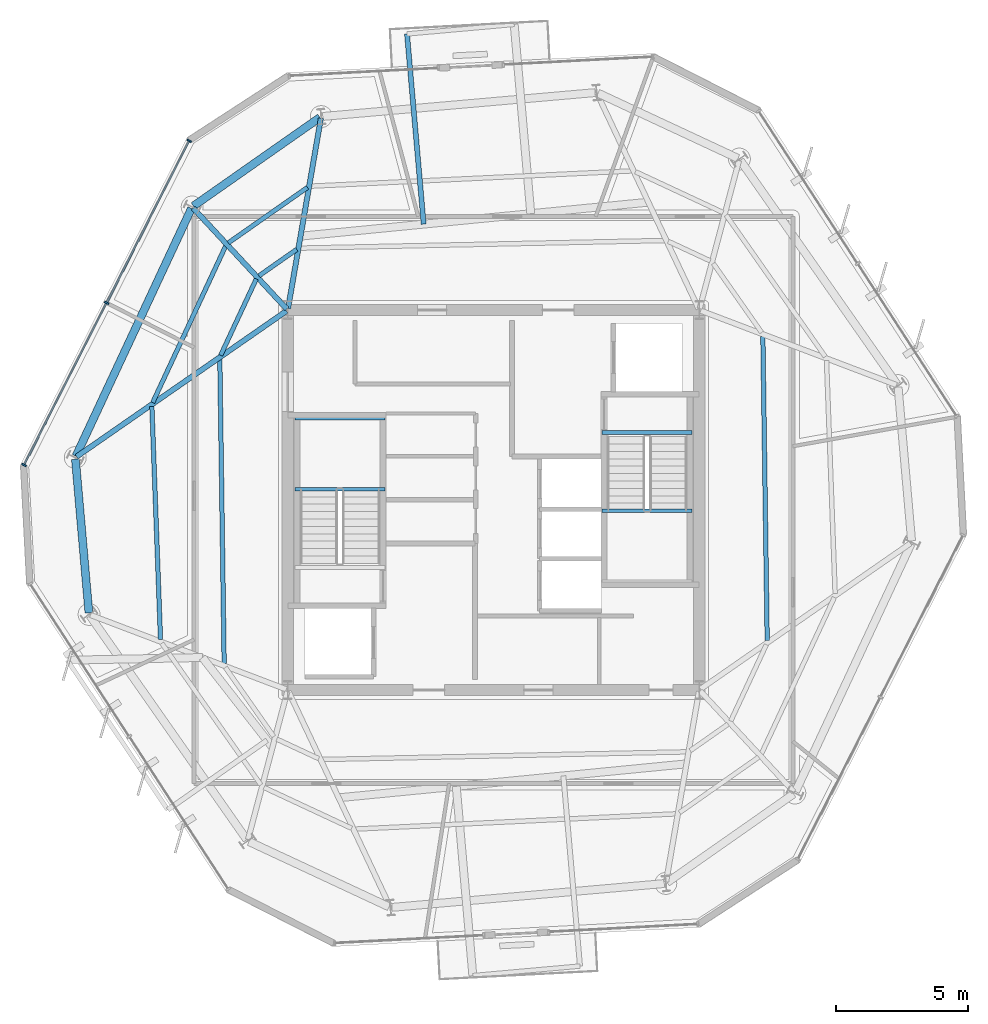
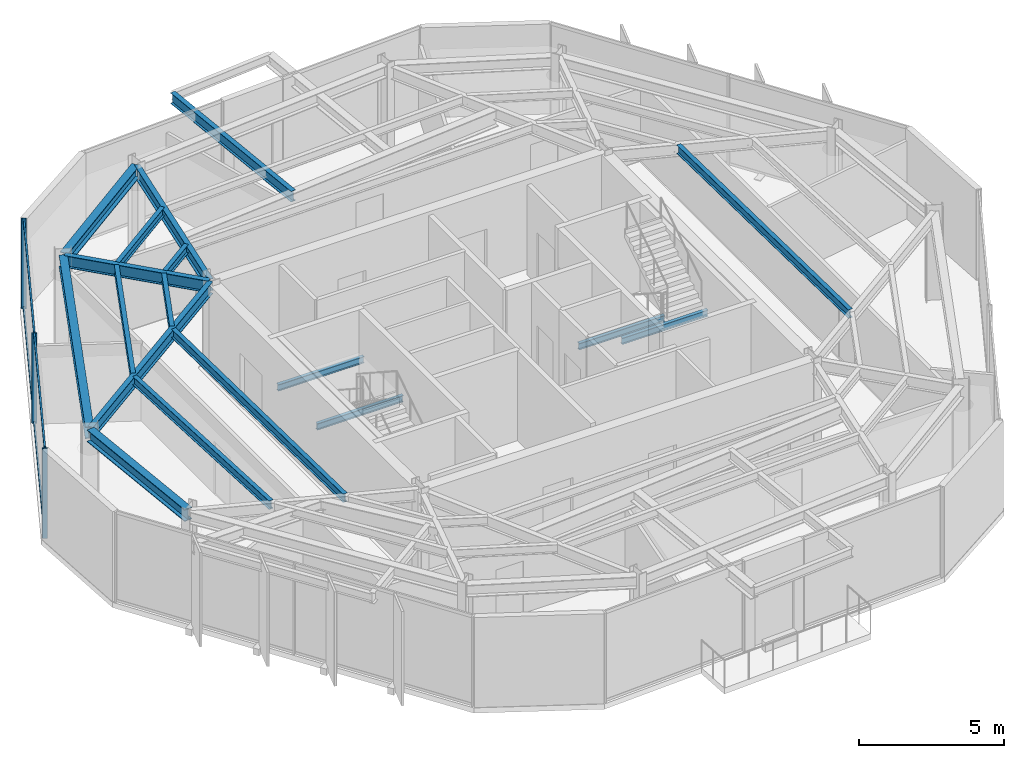
# One storey, part 3 of 11: 18 beams, 7 members, 1 element without a shape of its own.
"""IFC4 building model written with IfcOpenShell, lengths in metres."""

from ifc_helpers import new_model, si_unit, direction, frame, origin, origin_2d, place, context, subcontext, project, spatial, rectangle, i_section, extrude, material, layer, layer_set, material_profile, profile_set, type_object, element, aggregate, save


model = new_model("IFC4")

# Units and contexts
model_context = context("Model", 3, precision=1e-05, world=origin(), true_north=direction((0.0, 1.0)))
body_context = subcontext(model_context, "Body", "Model", "MODEL_VIEW")
ifc_project = project(units=[si_unit("LENGTHUNIT", "METRE"), si_unit("AREAUNIT", "SQUARE_METRE"), si_unit("VOLUMEUNIT", "CUBIC_METRE"), si_unit("PLANEANGLEUNIT", "RADIAN"), si_unit("MASSUNIT", "GRAM", prefix="KILO")], contexts=[model_context])

# Site, building, storey
site_placement = place(None, origin())
site = spatial("IfcSite", under=ifc_project, at=site_placement, CompositionType="ELEMENT")
building_placement = place(site_placement, origin())
building = spatial("IfcBuilding", under=site, at=building_placement, Name="Kranzbogen Civic Tower", CompositionType="ELEMENT")
storey_placement = place(building_placement, frame((0.0, 0.0, 278.199951171875)))
storey = spatial("IfcBuildingStorey", under=building, at=storey_placement, Name="L67", CompositionType="ELEMENT", Elevation=278.199951171875)

# Beam
ifc_material_1 = material(Name="Steel S355", Category="steel")
ifc_material_profile_1 = material_profile(ifc_material_1, i_section(OverallWidth=0.18994140625, OverallDepth=0.449951171875, WebThickness=0.009521484375, FlangeThickness=0.0146484375, at=origin_2d()), Name="IPE 450")
ifc_profile_set_1 = profile_set([ifc_material_profile_1], Name="Steel S355")
beam_type_1 = type_object("IfcBeamType", Name="Braced Terrace Edge Beam IPE 450", PredefinedType="BEAM", material=ifc_profile_set_1)
beam_1_placement = place(storey_placement, frame((22.35205078125, 35.458984375, 3.525146484375), z_axis=(-0.087187033338, 0.996191960025, 0.0), x_axis=(-0.996191960025, -0.087187033338, 0.0)))
element("IfcBeam", 1, at=beam_1_placement, inside=storey, type_object=beam_type_1, Name="L68 back-spanned terrace beam L68-TB2-2", PredefinedType="BEAM", context=body_context, shape_type="SweptSolid", body=[
    extrude(i_section(OverallWidth=0.18994140625, OverallDepth=0.449951171875, WebThickness=0.009521484375, FlangeThickness=0.0146484375, at=origin_2d()), origin(), (0.0, 0.0, 1.0), 7.238525390625),
])

# Curtain wall, members
ifc_material_2 = material(Name="Pale Anodised Aluminium", Category="aluminium")
ifc_layer = layer(ifc_material_2, 0.219970703125, Name="Pale Anodised Aluminium")
ifc_layer_set = layer_set([ifc_layer], Name="Pale Anodised Aluminium")
curtain_wall_type = type_object("IfcCurtainWallType", Name="Zone 4 Stick Curtain Wall System CW-05", PredefinedType="USERDEFINED", material=ifc_layer_set)
curtain_wall_placement = place(storey_placement, origin())
curtain_wall = element("IfcCurtainWall", 2, at=curtain_wall_placement, inside=storey, type_object=curtain_wall_type, Name="L67 curtain wall CW-L67-F2", ObjectType="STICK CURTAIN WALL", PredefinedType="USERDEFINED")
ifc_material_profile_2 = material_profile(ifc_material_2, rectangle(XDim=0.06494140625, YDim=0.179931640625, at=origin_2d()), Name="ALU-M 65x180")
ifc_profile_set_2 = profile_set([ifc_material_profile_2], Name="Pale Anodised Aluminium")
member_type_1 = type_object("IfcMemberType", Name="Curtain Wall Mullion ALU-M 65x180", PredefinedType="MULLION", material=ifc_profile_set_2)
member_1_placement = place(storey_placement, frame((13.46240234375, 38.619384765625, 0.0), z_axis=(0.0, 0.0, 1.0), x_axis=(-0.453899828869, -0.891052717494, 0.0)))
member_1 = element("IfcMember", 3, at=member_1_placement, type_object=member_type_1, Name="CW-05 mullion 1", PredefinedType="MULLION", context=body_context, shape_type="SweptSolid", body=[
    extrude(rectangle(XDim=0.06494140625, YDim=0.179931640625, at=origin_2d()), origin(), (0.0, 0.0, 1.0), 3.780029296875),
])
member_2_placement = place(storey_placement, frame((10.33203125, 32.47412109375, 0.0), z_axis=(0.0, 0.0, 1.0), x_axis=(-0.453899828869, -0.891052717494, 0.0)))
member_2 = element("IfcMember", 4, at=member_2_placement, type_object=member_type_1, Name="CW-05 mullion 2", PredefinedType="MULLION", context=body_context, shape_type="SweptSolid", body=[
    extrude(rectangle(XDim=0.06494140625, YDim=0.179931640625, at=origin_2d()), origin(), (0.0, 0.0, 1.0), 3.780029296875),
])
member_3_placement = place(storey_placement, frame((7.20166015625, 26.32861328125, 0.0), z_axis=(0.0, 0.0, 1.0), x_axis=(-0.453899828869, -0.891052717494, 0.0)))
member_3 = element("IfcMember", 5, at=member_3_placement, type_object=member_type_1, Name="CW-05 mullion 3", PredefinedType="MULLION", context=body_context, shape_type="SweptSolid", body=[
    extrude(rectangle(XDim=0.06494140625, YDim=0.179931640625, at=origin_2d()), origin(), (0.0, 0.0, 1.0), 3.780029296875),
])
ifc_material_profile_3 = material_profile(ifc_material_2, rectangle(XDim=0.06494140625, YDim=0.135009765625, at=origin_2d()), Name="ALU-T 65x135")
ifc_profile_set_3 = profile_set([ifc_material_profile_3], Name="Pale Anodised Aluminium")
member_type_2 = type_object("IfcMemberType", Name="Curtain Wall Transom ALU-T 65x135", PredefinedType="USERDEFINED", material=ifc_profile_set_3)
member_4_placement = place(storey_placement, frame((13.44873046875, 38.592529296875, 0.030029296875), z_axis=(-0.453886194099, -0.891059662877, 0.0), x_axis=(0.891059662877, -0.453886194099, 0.0)))
member_4 = element("IfcMember", 6, at=member_4_placement, type_object=member_type_2, Name="CW-05 transom 1.1", ObjectType="TRANSOM", PredefinedType="USERDEFINED", context=body_context, shape_type="SweptSolid", body=[
    extrude(rectangle(XDim=0.06494140625, YDim=0.135009765625, at=origin_2d()), origin(), (0.0, 0.0, 1.0), 6.836669921875),
])
member_5_placement = place(storey_placement, frame((13.44873046875, 38.592529296875, 3.75), z_axis=(-0.453886194099, -0.891059662877, 0.0), x_axis=(0.891059662877, -0.453886194099, 0.0)))
member_5 = element("IfcMember", 7, at=member_5_placement, type_object=member_type_2, Name="CW-05 transom 1.2", ObjectType="TRANSOM", PredefinedType="USERDEFINED", context=body_context, shape_type="SweptSolid", body=[
    extrude(rectangle(XDim=0.06494140625, YDim=0.135009765625, at=origin_2d()), origin(), (0.0, 0.0, 1.0), 6.836669921875),
])
member_6_placement = place(storey_placement, frame((10.318359375, 32.447265625, 0.030029296875), z_axis=(-0.453886194099, -0.891059662877, 0.0), x_axis=(0.891059662877, -0.453886194099, 0.0)))
member_6 = element("IfcMember", 8, at=member_6_placement, type_object=member_type_2, Name="CW-05 transom 2.1", ObjectType="TRANSOM", PredefinedType="USERDEFINED", context=body_context, shape_type="SweptSolid", body=[
    extrude(rectangle(XDim=0.06494140625, YDim=0.135009765625, at=origin_2d()), origin(), (0.0, 0.0, 1.0), 6.836669921875),
])
member_7_placement = place(storey_placement, frame((10.318359375, 32.447265625, 3.75), z_axis=(-0.453886194099, -0.891059662877, 0.0), x_axis=(0.891059662877, -0.453886194099, 0.0)))
member_7 = element("IfcMember", 9, at=member_7_placement, type_object=member_type_2, Name="CW-05 transom 2.2", ObjectType="TRANSOM", PredefinedType="USERDEFINED", context=body_context, shape_type="SweptSolid", body=[
    extrude(rectangle(XDim=0.06494140625, YDim=0.135009765625, at=origin_2d()), origin(), (0.0, 0.0, 1.0), 6.836669921875),
])
aggregate(curtain_wall, [member_1, member_2, member_3, member_4, member_5, member_6, member_7])

# Beams
ifc_material_profile_4 = material_profile(ifc_material_1, i_section(OverallWidth=0.300048828125, OverallDepth=0.5, WebThickness=0.014404296875, FlangeThickness=0.028076171875, at=origin_2d()), Name="HEB 500")
ifc_profile_set_4 = profile_set([ifc_material_profile_4], Name="Steel S355")
beam_type_2 = type_object("IfcBeamType", Name="Perimeter Tube Spandrel Beam HEB 500", PredefinedType="SPANDREL", material=ifc_profile_set_4)
beam_2_placement = place(storey_placement, frame((18.41796875, 39.501953125, 3.530029296875), z_axis=(-0.819059436004, -0.57370867197, 0.0), x_axis=(0.57370867197, -0.819059436004, 0.0)))
element("IfcBeam", 10, at=beam_2_placement, inside=storey, type_object=beam_type_2, Name="L67 perimeter spandrel beam 10", PredefinedType="SPANDREL", context=body_context, shape_type="SweptSolid", body=[
    extrude(i_section(OverallWidth=0.300048828125, OverallDepth=0.5, WebThickness=0.014404296875, FlangeThickness=0.028076171875, at=origin_2d()), origin(), (0.0, 0.0, 1.0), 5.85302734375),
])
beam_3_placement = place(storey_placement, frame((13.550048828125, 36.055908203125, 3.530029296875), z_axis=(-0.422668780888, -0.906284227857, 0.0), x_axis=(0.906284227857, -0.422668780888, 0.0)))
element("IfcBeam", 11, at=beam_3_placement, inside=storey, type_object=beam_type_2, Name="L67 perimeter spandrel beam 11", PredefinedType="SPANDREL", context=body_context, shape_type="SweptSolid", body=[
    extrude(i_section(OverallWidth=0.300048828125, OverallDepth=0.5, WebThickness=0.014404296875, FlangeThickness=0.028076171875, at=origin_2d()), origin(), (0.0, 0.0, 1.0), 10.363037109375),
])
beam_4_placement = place(storey_placement, frame((9.14990234375, 26.550048828125, 3.530029296875), z_axis=(0.087326362434, -0.99617975608, 0.0), x_axis=(0.99617975608, 0.087326362434, 0.0)))
element("IfcBeam", 12, at=beam_4_placement, inside=storey, type_object=beam_type_2, Name="L67 perimeter spandrel beam 12", PredefinedType="SPANDREL", context=body_context, shape_type="SweptSolid", body=[
    extrude(i_section(OverallWidth=0.300048828125, OverallDepth=0.5, WebThickness=0.014404296875, FlangeThickness=0.028076171875, at=origin_2d()), origin(), (0.0, 0.0, 1.0), 5.8515625),
])
ifc_material_profile_5 = material_profile(ifc_material_1, i_section(OverallWidth=0.199951171875, OverallDepth=0.5, WebThickness=0.01025390625, FlangeThickness=0.01611328125, at=origin_2d()), Name="IPE 500")
ifc_profile_set_5 = profile_set([ifc_material_profile_5], Name="Steel S355")
beam_type_3 = type_object("IfcBeamType", Name="Radial Tower Floor Girder IPE 500", PredefinedType="BEAM", material=ifc_profile_set_5)
beam_5_placement = place(storey_placement, frame((18.45703125, 39.47705078125, 3.530029296875), z_axis=(-0.170249558486, -0.985400978199, 0.0), x_axis=(0.985400978199, -0.170249558486, 0.0)))
element("IfcBeam", 13, at=beam_5_placement, inside=storey, type_object=beam_type_3, Name="L67 radial floor girder 10", PredefinedType="BEAM", context=body_context, shape_type="SweptSolid", body=[
    extrude(i_section(OverallWidth=0.199951171875, OverallDepth=0.5, WebThickness=0.01025390625, FlangeThickness=0.01611328125, at=origin_2d()), origin(), (0.0, 0.0, 1.0), 7.324951171875),
])
beam_6_placement = place(storey_placement, frame((13.615966796875, 36.06591796875, 3.530029296875), z_axis=(0.679827353702, -0.733372190064, 0.0), x_axis=(0.733372190064, 0.679827353702, 0.0)))
element("IfcBeam", 14, at=beam_6_placement, inside=storey, type_object=beam_type_3, Name="L67 radial floor girder 11", PredefinedType="BEAM", context=body_context, shape_type="SweptSolid", body=[
    extrude(i_section(OverallWidth=0.199951171875, OverallDepth=0.5, WebThickness=0.01025390625, FlangeThickness=0.01611328125, at=origin_2d()), origin(), (0.0, 0.0, 1.0), 5.211669921875),
])
beam_7_placement = place(storey_placement, frame((9.194091796875, 26.64404296875, 3.530029296875), z_axis=(0.821542812331, 0.570146829779, 0.0), x_axis=(-0.570146829779, 0.821542812331, 0.0)))
element("IfcBeam", 15, at=beam_7_placement, inside=storey, type_object=beam_type_3, Name="L67 radial floor girder 12", PredefinedType="BEAM", context=body_context, shape_type="SweptSolid", body=[
    extrude(i_section(OverallWidth=0.199951171875, OverallDepth=0.5, WebThickness=0.01025390625, FlangeThickness=0.01611328125, at=origin_2d()), origin(), (0.0, 0.0, 1.0), 9.68505859375),
])
ifc_material_profile_6 = material_profile(ifc_material_1, i_section(OverallWidth=0.169921875, OverallDepth=0.360107421875, WebThickness=0.008056640625, FlangeThickness=0.0126953125, at=origin_2d()), Name="IPE 360")
ifc_profile_set_6 = profile_set([ifc_material_profile_6], Name="Steel S355")
beam_type_4 = type_object("IfcBeamType", Name="Secondary Composite Floor Joist IPE 360", PredefinedType="JOIST", material=ifc_profile_set_6)
beam_8_placement = place(storey_placement, frame((35.3759765625, 19.6689453125, 3.60009765625), z_axis=(-0.014221385906, 0.999898870978, 0.0), x_axis=(-0.999898870978, -0.014221385906, 0.0)))
element("IfcBeam", 16, at=beam_8_placement, inside=storey, type_object=beam_type_4, Name="L67 secondary floor joist 2.06", PredefinedType="JOIST", context=body_context, shape_type="SweptSolid", body=[
    extrude(i_section(OverallWidth=0.169921875, OverallDepth=0.360107421875, WebThickness=0.008056640625, FlangeThickness=0.0126953125, at=origin_2d()), origin(), (0.0, 0.0, 1.0), 11.536376953125),
])
beam_9_placement = place(storey_placement, frame((17.945068359375, 36.84912109375, 3.60009765625), z_axis=(-0.819006333711, -0.573784476385, 0.0), x_axis=(0.573784476385, -0.819006333711, 0.0)))
element("IfcBeam", 17, at=beam_9_placement, inside=storey, type_object=beam_type_4, Name="L67 secondary floor joist 1.10", PredefinedType="JOIST", context=body_context, shape_type="SweptSolid", body=[
    extrude(i_section(OverallWidth=0.169921875, OverallDepth=0.360107421875, WebThickness=0.008056640625, FlangeThickness=0.0126953125, at=origin_2d()), origin(), (0.0, 0.0, 1.0), 3.661865234375),
])
beam_10_placement = place(storey_placement, frame((17.5400390625, 34.501953125, 3.60009765625), z_axis=(-0.818956727849, -0.573855276103, 0.0), x_axis=(0.573855276103, -0.818956727849, 0.0)))
element("IfcBeam", 18, at=beam_10_placement, inside=storey, type_object=beam_type_4, Name="L67 secondary floor joist 2.10", PredefinedType="JOIST", context=body_context, shape_type="SweptSolid", body=[
    extrude(i_section(OverallWidth=0.169921875, OverallDepth=0.360107421875, WebThickness=0.008056640625, FlangeThickness=0.0126953125, at=origin_2d()), origin(), (0.0, 0.0, 1.0), 1.751220703125),
])
beam_11_placement = place(storey_placement, frame((14.845947265625, 34.6298828125, 3.60009765625), z_axis=(-0.422542528713, -0.906343098075, 0.0), x_axis=(0.906343098075, -0.422542528713, 0.0)))
element("IfcBeam", 19, at=beam_11_placement, inside=storey, type_object=beam_type_4, Name="L67 secondary floor joist 1.11", PredefinedType="JOIST", context=body_context, shape_type="SweptSolid", body=[
    extrude(i_section(OverallWidth=0.169921875, OverallDepth=0.360107421875, WebThickness=0.008056640625, FlangeThickness=0.0126953125, at=origin_2d()), origin(), (0.0, 0.0, 1.0), 6.548095703125),
])
beam_12_placement = place(storey_placement, frame((16.006103515625, 33.37890625, 3.60009765625), z_axis=(-0.422651143991, -0.906292453065, 0.0), x_axis=(0.906292453065, -0.422651143991, 0.0)))
element("IfcBeam", 20, at=beam_12_placement, inside=storey, type_object=beam_type_4, Name="L67 secondary floor joist 2.11", PredefinedType="JOIST", context=body_context, shape_type="SweptSolid", body=[
    extrude(i_section(OverallWidth=0.169921875, OverallDepth=0.360107421875, WebThickness=0.008056640625, FlangeThickness=0.0126953125, at=origin_2d()), origin(), (0.0, 0.0, 1.0), 3.1943359375),
])
beam_13_placement = place(storey_placement, frame((12.048095703125, 28.5419921875, 3.60009765625), z_axis=(0.036992246074, -0.999315552631, 0.0), x_axis=(0.999315552631, 0.036992246074, 0.0)))
element("IfcBeam", 21, at=beam_13_placement, inside=storey, type_object=beam_type_4, Name="L67 secondary floor joist 1.12", PredefinedType="JOIST", context=body_context, shape_type="SweptSolid", body=[
    extrude(i_section(OverallWidth=0.169921875, OverallDepth=0.360107421875, WebThickness=0.008056640625, FlangeThickness=0.0126953125, at=origin_2d()), origin(), (0.0, 0.0, 1.0), 8.837158203125),
])
beam_14_placement = place(storey_placement, frame((14.6240234375, 30.3310546875, 3.60009765625), z_axis=(0.014221385906, -0.999898870978, 0.0), x_axis=(0.999898870978, 0.014221385906, 0.0)))
element("IfcBeam", 22, at=beam_14_placement, inside=storey, type_object=beam_type_4, Name="L67 secondary floor joist 2.12", PredefinedType="JOIST", context=body_context, shape_type="SweptSolid", body=[
    extrude(i_section(OverallWidth=0.169921875, OverallDepth=0.360107421875, WebThickness=0.008056640625, FlangeThickness=0.0126953125, at=origin_2d()), origin(), (0.0, 0.0, 1.0), 11.536376953125),
])
ifc_material_profile_7 = material_profile(ifc_material_1, i_section(OverallWidth=0.135009765625, OverallDepth=0.27001953125, WebThickness=0.006591796875, FlangeThickness=0.01025390625, at=origin_2d()), Name="IPE 270")
ifc_profile_set_7 = profile_set([ifc_material_profile_7], Name="Steel S355")
beam_type_5 = type_object("IfcBeamType", Name="Stair Landing Support Beam IPE 270", PredefinedType="JOIST", material=ifc_profile_set_7)
for number, where, z_axis, x_axis, name in (
    (23, (20.8798828125, 25.39990234375, 1.6650390625), (-1.0, 0.0, 0.0), (0.0, -1.0, 0.0), "L67 ST-T1 landing support beam 1.1"),
    (24, (20.8798828125, 28.10009765625, 1.6650390625), (-1.0, 0.0, 0.0), (0.0, -1.0, 0.0), "L67 ST-T1 landing support beam 1.2"),
    (25, (29.1201171875, 27.56005859375, -0.35498046875), (1.0, 0.0, 0.0), (0.0, 1.0, 0.0), "L67 ST-T2 stair floor header beam"),
    (26, (29.1201171875, 24.60009765625, 1.6650390625), (1.0, 0.0, 0.0), (0.0, 1.0, 0.0), "L67 ST-T2 landing support beam 1.1"),
):
    element("IfcBeam", number, at=place(storey_placement, frame(where, z_axis=z_axis, x_axis=x_axis)), inside=storey, type_object=beam_type_5, Name=name, PredefinedType="JOIST", context=body_context, shape_type="SweptSolid", body=[
        extrude(i_section(OverallWidth=0.135009765625, OverallDepth=0.27001953125, WebThickness=0.006591796875, FlangeThickness=0.01025390625, at=origin_2d()), origin(), (0.0, 0.0, 1.0), 3.409912109375),
    ])

save(model, "model.ifc")
